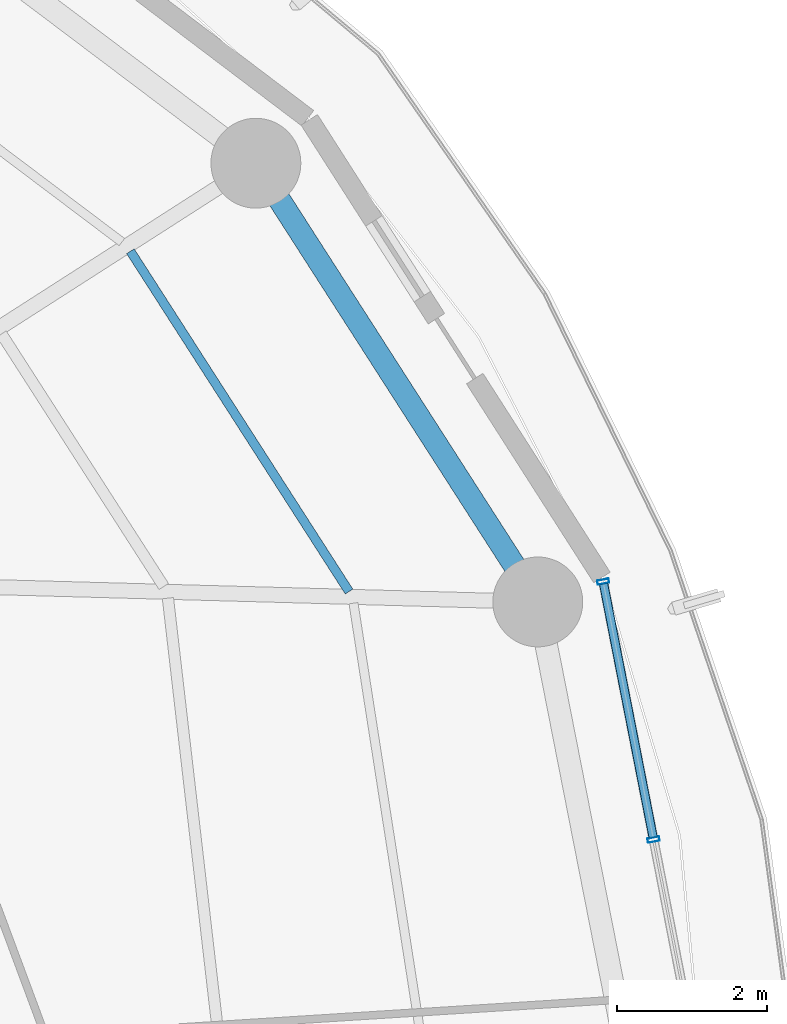
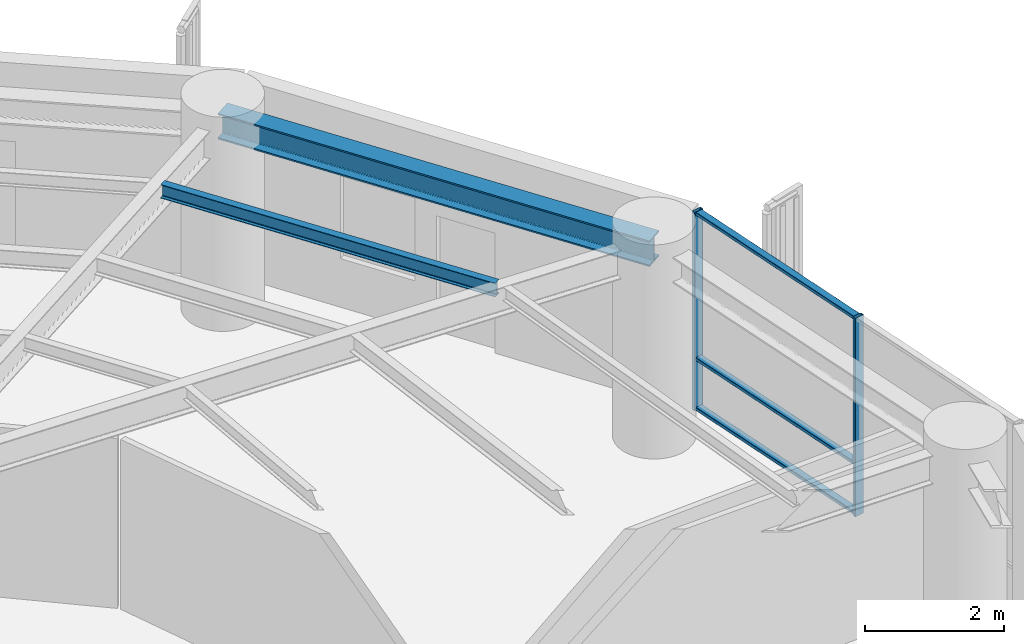
# One storey, part 15 of 27: 5 members, 2 beams, 1 element without a shape of its own.
"""IFC4 building model written with IfcOpenShell, lengths in metres."""

from ifc_helpers import new_model, si_unit, direction, frame, origin, origin_2d, place, context, subcontext, project, spatial, hollow_rectangle, i_section, extrude, material, layer, layer_set, material_profile, profile_set, type_object, element, aggregate, save


model = new_model("IFC4")

# Units and contexts
model_context = context("Model", 3, precision=1e-05, world=origin(), true_north=direction((0.0, 1.0)))
body_context = subcontext(model_context, "Body", "Model", "MODEL_VIEW")
ifc_project = project(units=[si_unit("LENGTHUNIT", "METRE"), si_unit("AREAUNIT", "SQUARE_METRE"), si_unit("VOLUMEUNIT", "CUBIC_METRE"), si_unit("PLANEANGLEUNIT", "RADIAN"), si_unit("MASSUNIT", "GRAM", prefix="KILO")], contexts=[model_context])

# Site, building, storey
site_placement = place(None, origin())
site = spatial("IfcSite", under=ifc_project, at=site_placement, CompositionType="ELEMENT")
building_placement = place(site_placement, origin())
building = spatial("IfcBuilding", under=site, at=building_placement, Name="Kelanora Arch Commons", CompositionType="ELEMENT")
storey_placement = place(building_placement, frame((0.0, 0.0, 165.60009765625)))
storey = spatial("IfcBuildingStorey", under=building, at=storey_placement, Name="L42", CompositionType="ELEMENT", Elevation=165.60009765625)

# Beams
ifc_material_1 = material(Name="Steel S355", Category="steel")
ifc_material_profile_1 = material_profile(ifc_material_1, i_section(OverallWidth=0.1201171875, OverallDepth=0.239990234375, WebThickness=0.006103515625, FlangeThickness=0.009765625, FilletRadius=0.014892578125, at=origin_2d()), Name="IPE240")
ifc_profile_set_1 = profile_set([ifc_material_profile_1], Name="Steel S355")
beam_type_1 = type_object("IfcBeamType", Name="BM-JST-02", PredefinedType="JOIST", material=ifc_profile_set_1)
beam_1_placement = place(storey_placement, frame((91.85205078125, 64.801513671875, 3.369873046875), z_axis=(-0.540581678156, 0.841291536414, 0.0), x_axis=(-0.841291536414, -0.540581678156, 0.0)))
element("IfcBeam", 1, at=beam_1_placement, inside=storey, type_object=beam_type_1, Name="Secondary Chord Joist BJC-02 L42", PredefinedType="JOIST", context=body_context, shape_type="SweptSolid", body=[
    extrude(i_section(OverallWidth=0.1201171875, OverallDepth=0.239990234375, WebThickness=0.006103515625, FlangeThickness=0.009765625, FilletRadius=0.014892578125, at=origin_2d()), origin(), (0.0, 0.0, 1.0), 5.4013671875),
])
ifc_material_profile_2 = material_profile(ifc_material_1, i_section(OverallWidth=0.300048828125, OverallDepth=0.449951171875, WebThickness=0.013916015625, FlangeThickness=0.02587890625, FilletRadius=0.027099609375, at=origin_2d()), Name="HEB450")
ifc_profile_set_2 = profile_set([ifc_material_profile_2], Name="Steel S355")
beam_type_2 = type_object("IfcBeamType", Name="BM-SPN-Z3", PredefinedType="SPANDREL", material=ifc_profile_set_2)
beam_2_placement = place(storey_placement, frame((94.37255859375, 64.66259765625, 3.264892578125), z_axis=(-0.540576852469, 0.841294637196, 0.0), x_axis=(-0.841294637196, -0.540576852469, 0.0)))
element("IfcBeam", 2, at=beam_2_placement, inside=storey, type_object=beam_type_2, Name="Perimeter Spandrel Beam BS-02 L42", PredefinedType="SPANDREL", context=body_context, shape_type="SweptSolid", body=[
    extrude(i_section(OverallWidth=0.300048828125, OverallDepth=0.449951171875, WebThickness=0.013916015625, FlangeThickness=0.02587890625, FilletRadius=0.027099609375, at=origin_2d()), origin(), (0.0, 0.0, 1.0), 6.964111328125),
])

# Curtain wall, members
ifc_material_2 = material(Name="Terracotta ceramic-fritted low-E glass and aluminium", Category="masonry")
ifc_layer = layer(ifc_material_2, 0.175048828125)
ifc_layer_set = layer_set([ifc_layer], Name="Terracotta ceramic-fritted low-E glass and aluminium")
curtain_wall_type = type_object("IfcCurtainWallType", Name="CW-SYS-02", PredefinedType="NOTDEFINED", material=ifc_layer_set)
curtain_wall_placement = place(storey_placement, origin())
curtain_wall = element("IfcCurtainWall", 3, at=curtain_wall_placement, inside=storey, type_object=curtain_wall_type, Name="Unitised Curtain Wall L42-B00", PredefinedType="NOTDEFINED")
ifc_material_3 = material(Name="Powder-coated aluminium terracotta", Category="masonry")
ifc_material_profile_3 = material_profile(ifc_material_3, hollow_rectangle(XDim=0.159912109375, YDim=0.06005859375, WallThickness=0.0048828125, InnerFilletRadius=0.0048828125, OuterFilletRadius=0.010009765625, at=origin_2d()), Name="CWM160x60")
ifc_profile_set_3 = profile_set([ifc_material_profile_3], Name="Powder-coated aluminium terracotta")
member_type_1 = type_object("IfcMemberType", Name="CWM-STD", PredefinedType="MULLION", material=ifc_profile_set_3)
member_1_placement = place(storey_placement, frame((95.91845703125, 61.488525390625, 0.0), z_axis=(0.0, 0.0, 1.0), x_axis=(-0.981452557718, -0.191705182375, 0.0)))
member_1 = element("IfcMember", 4, at=member_1_placement, type_object=member_type_1, Name="CW-02 mullion 2", PredefinedType="MULLION", context=body_context, shape_type="SweptSolid", body=[
    extrude(hollow_rectangle(XDim=0.159912109375, YDim=0.06005859375, WallThickness=0.0048828125, InnerFilletRadius=0.0048828125, OuterFilletRadius=0.010009765625, at=origin_2d()), origin(), (0.0, 0.0, 1.0), 3.474853515625),
])
member_2_placement = place(storey_placement, frame((95.245849609375, 64.93310546875, 0.0), z_axis=(0.0, 0.0, 1.0), x_axis=(-0.981452557718, -0.191705182375, 0.0)))
member_2 = element("IfcMember", 5, at=member_2_placement, type_object=member_type_1, Name="CW-02 mullion 3", PredefinedType="MULLION", context=body_context, shape_type="SweptSolid", body=[
    extrude(hollow_rectangle(XDim=0.159912109375, YDim=0.06005859375, WallThickness=0.0048828125, InnerFilletRadius=0.0048828125, OuterFilletRadius=0.010009765625, at=origin_2d()), origin(), (0.0, 0.0, 1.0), 3.474853515625),
])
ifc_material_profile_4 = material_profile(ifc_material_3, hollow_rectangle(XDim=0.1201171875, YDim=0.06005859375, WallThickness=0.0048828125, InnerFilletRadius=0.0048828125, OuterFilletRadius=0.010009765625, at=origin_2d()), Name="CWT120x60")
ifc_profile_set_4 = profile_set([ifc_material_profile_4], Name="Powder-coated aluminium terracotta")
member_type_2 = type_object("IfcMemberType", Name="CWT-STD", PredefinedType="USERDEFINED", material=ifc_profile_set_4)
member_3_placement = place(storey_placement, frame((95.912841796875, 61.51806640625, 0.02978515625), z_axis=(-0.191731523726, 0.981447412147, 0.0), x_axis=(-0.981447412147, -0.191731523726, 0.0)))
member_3 = element("IfcMember", 6, at=member_3_placement, type_object=member_type_2, Name="CW-02 transom 2.1", ObjectType="TRANSOM", PredefinedType="USERDEFINED", context=body_context, shape_type="SweptSolid", body=[
    extrude(hollow_rectangle(XDim=0.1201171875, YDim=0.06005859375, WallThickness=0.0048828125, InnerFilletRadius=0.0048828125, OuterFilletRadius=0.010009765625, at=origin_2d()), origin(), (0.0, 0.0, 1.0), 3.449462890625),
])
member_4_placement = place(storey_placement, frame((95.912841796875, 61.51806640625, 0.89990234375), z_axis=(-0.191731523726, 0.981447412147, 0.0), x_axis=(-0.981447412147, -0.191731523726, 0.0)))
member_4 = element("IfcMember", 7, at=member_4_placement, type_object=member_type_2, Name="CW-02 transom 2.2", ObjectType="TRANSOM", PredefinedType="USERDEFINED", context=body_context, shape_type="SweptSolid", body=[
    extrude(hollow_rectangle(XDim=0.1201171875, YDim=0.06005859375, WallThickness=0.0048828125, InnerFilletRadius=0.0048828125, OuterFilletRadius=0.010009765625, at=origin_2d()), origin(), (0.0, 0.0, 1.0), 3.449462890625),
])
member_5_placement = place(storey_placement, frame((95.912841796875, 61.51806640625, 3.44482421875), z_axis=(-0.191731523726, 0.981447412147, 0.0), x_axis=(-0.981447412147, -0.191731523726, 0.0)))
member_5 = element("IfcMember", 8, at=member_5_placement, type_object=member_type_2, Name="CW-02 transom 2.3", ObjectType="TRANSOM", PredefinedType="USERDEFINED", context=body_context, shape_type="SweptSolid", body=[
    extrude(hollow_rectangle(XDim=0.1201171875, YDim=0.06005859375, WallThickness=0.0048828125, InnerFilletRadius=0.0048828125, OuterFilletRadius=0.010009765625, at=origin_2d()), origin(), (0.0, 0.0, 1.0), 3.449462890625),
])
aggregate(curtain_wall, [member_1, member_2, member_3, member_4, member_5])

save(model, "model.ifc")
